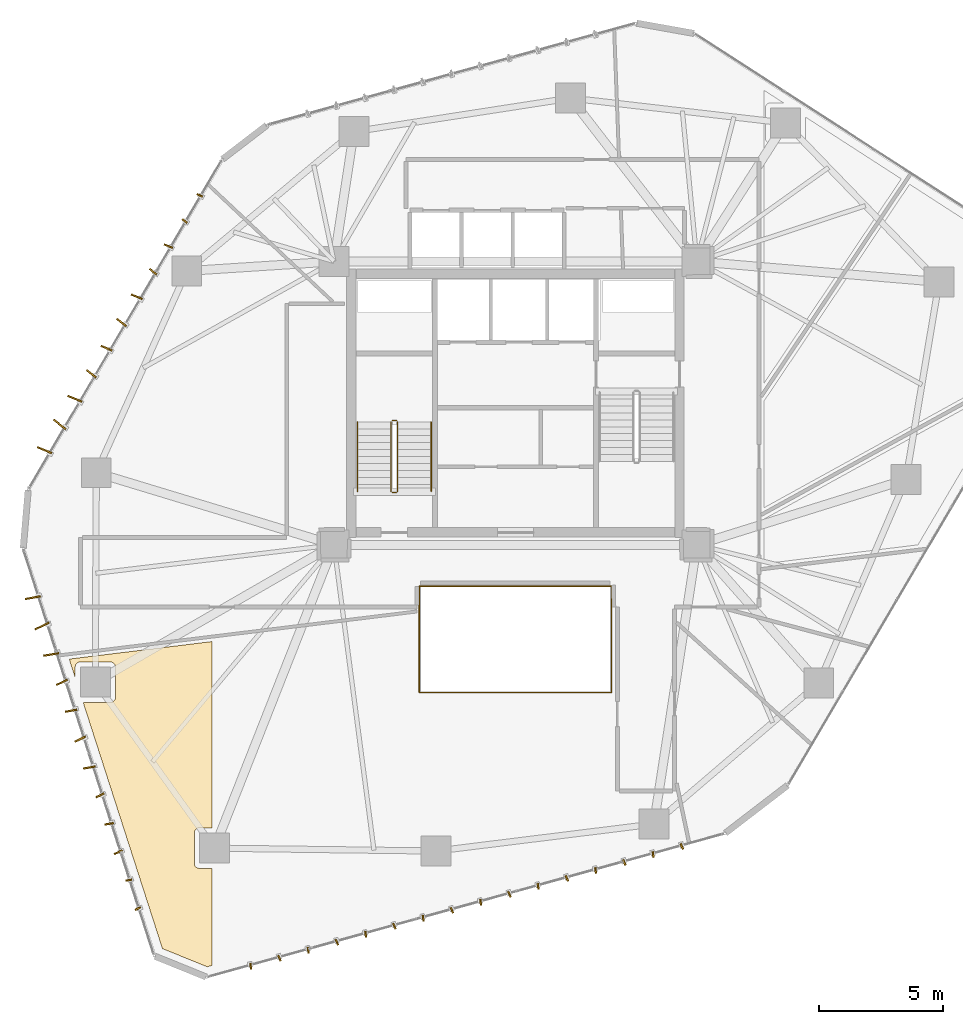
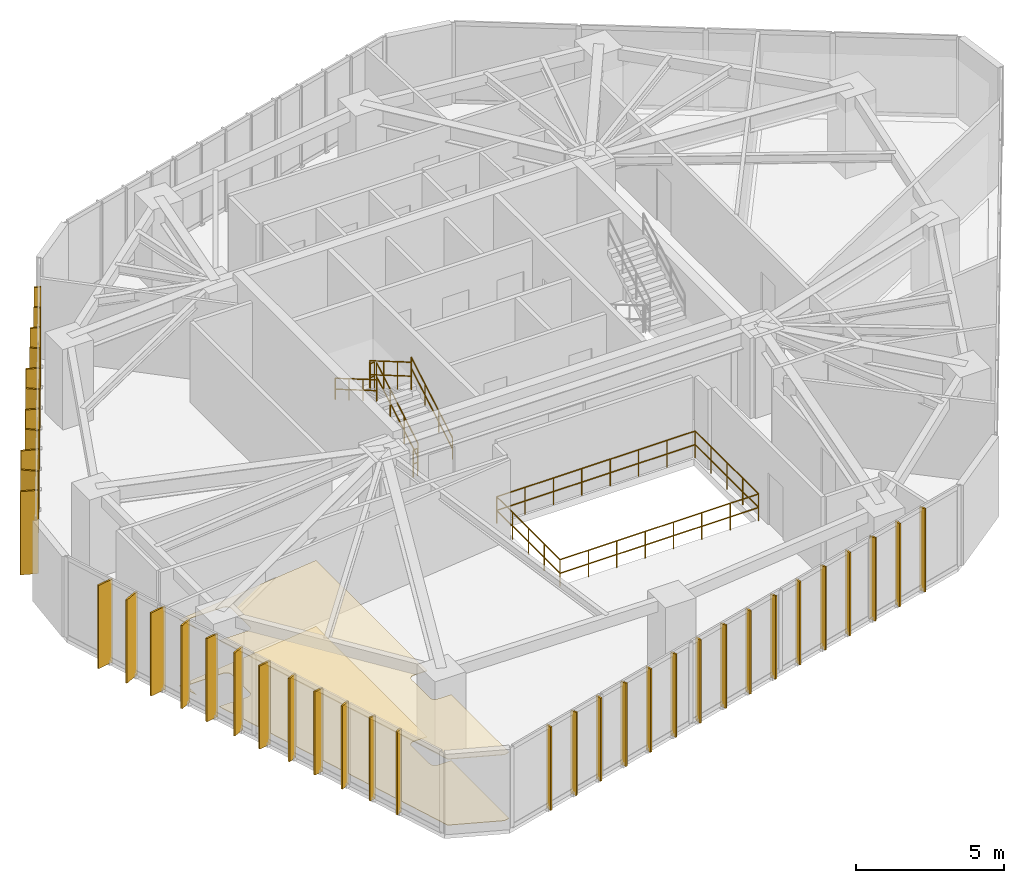
# One storey, part 19 of 20: 39 shading devices, 10 railings, 2 coverings.
"""IFC4 building model written with IfcOpenShell, lengths in metres."""

from ifc_helpers import new_model, si_unit, direction, frame, origin, origin_2d, place, context, subcontext, project, spatial, polyline, rectangle, circle, outline, extrude, source, transform, mapped, material, layer, layer_set, type_object, type_shapes, element, save


model = new_model("IFC4")

# Units and contexts
model_context = context("Model", 3, precision=1e-05, world=origin(), true_north=direction((0.0, 1.0)))
body_context = subcontext(model_context, "Body", "Model", "MODEL_VIEW")
ifc_project = project(units=[si_unit("LENGTHUNIT", "METRE"), si_unit("AREAUNIT", "SQUARE_METRE"), si_unit("VOLUMEUNIT", "CUBIC_METRE"), si_unit("PLANEANGLEUNIT", "RADIAN"), si_unit("MASSUNIT", "GRAM", prefix="KILO")], contexts=[model_context])

# Site, building, storey
site_placement = place(None, origin())
site = spatial("IfcSite", under=ifc_project, at=site_placement, CompositionType="ELEMENT")
building_placement = place(site_placement, origin())
building = spatial("IfcBuilding", under=site, at=building_placement, Name="Talar Marvaseh", CompositionType="ELEMENT")
storey_placement = place(building_placement, frame((0.0, 0.0, 136.199951171875)))
storey = spatial("IfcBuildingStorey", under=building, at=storey_placement, Name="L35", CompositionType="ELEMENT", Elevation=136.199951171875)

# Railings
ifc_material_1 = material(Name="Stainless Steel Grade 316", Category="steel")
railing_type_1 = type_object("IfcRailingType", Name="Brushed Stainless Wall Pitch Handrail 900", PredefinedType="HANDRAIL", material=ifc_material_1)
railing_1_placement = place(storey_placement, frame((22.610107421875, 27.64990234375, 0.16357421875)))
element("IfcRailing", 1, at=railing_1_placement, inside=storey, type_object=railing_type_1, Name="L35 ST-1 stair handrail 1", PredefinedType="HANDRAIL", context=body_context, shape_type="SweptSolid", body=[
    extrude(circle(Radius=0.02392578125, at=origin_2d()), frame((0.0, 0.0, 0.8759765625), z_axis=(0.0, 0.863360870873, 0.504586966384), x_axis=(-1.0, 0.0, 0.0)), (0.0, 0.0, 1.0), 3.2431640625),
    extrude(circle(Radius=0.02392578125, at=origin_2d()), frame((0.0, 0.0, 0.42578125), z_axis=(0.0, 0.863360870873, 0.504586966384), x_axis=(-1.0, 0.0, 0.0)), (0.0, 0.0, 1.0), 3.2431640625),
    extrude(circle(Radius=0.02099609375, at=origin_2d()), origin(), (0.0, 0.0, 1.0), 0.851806640625),
    extrude(circle(Radius=0.02099609375, at=origin_2d()), frame((0.0, 0.933349609375, 0.54541015625)), (0.0, 0.0, 1.0), 0.851806640625),
    extrude(circle(Radius=0.02099609375, at=origin_2d()), frame((0.0, 1.86669921875, 1.091064453125)), (0.0, 0.0, 1.0), 0.851806640625),
    extrude(circle(Radius=0.02099609375, at=origin_2d()), frame((0.0, 2.800048828125, 1.636474609375)), (0.0, 0.0, 1.0), 0.851806640625),
])
railing_2_placement = place(storey_placement, frame((19.64990234375, 30.449951171875, 1.963623046875)))
element("IfcRailing", 2, at=railing_2_placement, inside=storey, type_object=railing_type_1, Name="L35 ST-1 stair handrail 2", PredefinedType="HANDRAIL", context=body_context, shape_type="SweptSolid", body=[
    extrude(circle(Radius=0.02392578125, at=origin_2d()), frame((0.0, 0.0, 0.8759765625), z_axis=(0.0, -0.863360870873, 0.504586966384), x_axis=(1.0, 0.0, 0.0)), (0.0, 0.0, 1.0), 3.2431640625),
    extrude(circle(Radius=0.02392578125, at=origin_2d()), frame((0.0, 0.0, 0.42578125), z_axis=(0.0, -0.863360870873, 0.504586966384), x_axis=(1.0, 0.0, 0.0)), (0.0, 0.0, 1.0), 3.2431640625),
    extrude(circle(Radius=0.02099609375, at=origin_2d()), origin(), (0.0, 0.0, 1.0), 0.851806640625),
    extrude(circle(Radius=0.02099609375, at=origin_2d()), frame((0.0, -0.933349609375, 0.54541015625)), (0.0, 0.0, 1.0), 0.851806640625),
    extrude(circle(Radius=0.02099609375, at=origin_2d()), frame((0.0, -1.86669921875, 1.091064453125)), (0.0, 0.0, 1.0), 0.851806640625),
    extrude(circle(Radius=0.02099609375, at=origin_2d()), frame((0.0, -2.800048828125, 1.636474609375)), (0.0, 0.0, 1.0), 0.851806640625),
])
ifc_material_2 = material(Name="Tempered Clear Glass", Category="glass")
railing_type_2 = type_object("IfcRailingType", Name="Interior Atrium Edge Balustrade 1120", PredefinedType="BALUSTRADE", material=ifc_material_2)
railing_3_placement = place(storey_placement, frame((22.1298828125, 19.561279296875, 0.0)))
element("IfcRailing", 3, at=railing_3_placement, inside=storey, type_object=railing_type_2, Name="L35 Internal Daylight Atrium Balustrade 1", PredefinedType="BALUSTRADE", context=body_context, shape_type="SweptSolid", body=[
    extrude(circle(Radius=0.02392578125, at=origin_2d()), frame((0.0, 0.0, 1.09619140625), z_axis=(1.0, 0.0, 0.0), x_axis=(0.0, 1.0, 0.0)), (0.0, 0.0, 1.0), 7.740234375),
    extrude(circle(Radius=0.02392578125, at=origin_2d()), frame((0.0, 0.0, 0.5361328125), z_axis=(1.0, 0.0, 0.0), x_axis=(0.0, 1.0, 0.0)), (0.0, 0.0, 1.0), 7.740234375),
    extrude(circle(Radius=0.02099609375, at=origin_2d()), origin(), (0.0, 0.0, 1.0), 1.072021484375),
    extrude(circle(Radius=0.02099609375, at=origin_2d()), frame((1.105712890625, 0.0, 0.0)), (0.0, 0.0, 1.0), 1.072021484375),
    extrude(circle(Radius=0.02099609375, at=origin_2d()), frame((2.21142578125, 0.0, 0.0)), (0.0, 0.0, 1.0), 1.072021484375),
    extrude(circle(Radius=0.02099609375, at=origin_2d()), frame((3.317138671875, 0.0, 0.0)), (0.0, 0.0, 1.0), 1.072021484375),
    extrude(circle(Radius=0.02099609375, at=origin_2d()), frame((4.423095703125, 0.0, 0.0)), (0.0, 0.0, 1.0), 1.072021484375),
    extrude(circle(Radius=0.02099609375, at=origin_2d()), frame((5.52880859375, 0.0, 0.0)), (0.0, 0.0, 1.0), 1.072021484375),
    extrude(circle(Radius=0.02099609375, at=origin_2d()), frame((6.634521484375, 0.0, 0.0)), (0.0, 0.0, 1.0), 1.072021484375),
    extrude(circle(Radius=0.02099609375, at=origin_2d()), frame((7.740234375, 0.0, 0.0)), (0.0, 0.0, 1.0), 1.072021484375),
])
railing_4_placement = place(storey_placement, frame((29.8701171875, 19.561279296875, 0.0)))
element("IfcRailing", 4, at=railing_4_placement, inside=storey, type_object=railing_type_2, Name="L35 Internal Daylight Atrium Balustrade 2", PredefinedType="BALUSTRADE", context=body_context, shape_type="SweptSolid", body=[
    extrude(circle(Radius=0.02392578125, at=origin_2d()), frame((0.0, 0.0, 1.09619140625), z_axis=(0.0, 1.0, 0.0), x_axis=(-1.0, 0.0, 0.0)), (0.0, 0.0, 1.0), 4.27734375),
    extrude(circle(Radius=0.02392578125, at=origin_2d()), frame((0.0, 0.0, 0.5361328125), z_axis=(0.0, 1.0, 0.0), x_axis=(-1.0, 0.0, 0.0)), (0.0, 0.0, 1.0), 4.27734375),
    extrude(circle(Radius=0.02099609375, at=origin_2d()), origin(), (0.0, 0.0, 1.0), 1.072021484375),
    extrude(circle(Radius=0.02099609375, at=origin_2d()), frame((0.0, 1.0693359375, 0.0)), (0.0, 0.0, 1.0), 1.072021484375),
    extrude(circle(Radius=0.02099609375, at=origin_2d()), frame((0.0, 2.138671875, 0.0)), (0.0, 0.0, 1.0), 1.072021484375),
    extrude(circle(Radius=0.02099609375, at=origin_2d()), frame((0.0, 3.2080078125, 0.0)), (0.0, 0.0, 1.0), 1.072021484375),
    extrude(circle(Radius=0.02099609375, at=origin_2d()), frame((0.0, 4.27734375, 0.0)), (0.0, 0.0, 1.0), 1.072021484375),
])
railing_5_placement = place(storey_placement, frame((29.8701171875, 23.838623046875, 0.0)))
element("IfcRailing", 5, at=railing_5_placement, inside=storey, type_object=railing_type_2, Name="L35 Internal Daylight Atrium Balustrade 3", PredefinedType="BALUSTRADE", context=body_context, shape_type="SweptSolid", body=[
    extrude(circle(Radius=0.02392578125, at=origin_2d()), frame((0.0, 0.0, 1.09619140625), z_axis=(-1.0, 0.0, 0.0), x_axis=(0.0, -1.0, 0.0)), (0.0, 0.0, 1.0), 7.740234375),
    extrude(circle(Radius=0.02392578125, at=origin_2d()), frame((0.0, 0.0, 0.5361328125), z_axis=(-1.0, 0.0, 0.0), x_axis=(0.0, -1.0, 0.0)), (0.0, 0.0, 1.0), 7.740234375),
    extrude(circle(Radius=0.02099609375, at=origin_2d()), origin(), (0.0, 0.0, 1.0), 1.072021484375),
    extrude(circle(Radius=0.02099609375, at=origin_2d()), frame((-1.105712890625, 0.0, 0.0)), (0.0, 0.0, 1.0), 1.072021484375),
    extrude(circle(Radius=0.02099609375, at=origin_2d()), frame((-2.21142578125, 0.0, 0.0)), (0.0, 0.0, 1.0), 1.072021484375),
    extrude(circle(Radius=0.02099609375, at=origin_2d()), frame((-3.317138671875, 0.0, 0.0)), (0.0, 0.0, 1.0), 1.072021484375),
    extrude(circle(Radius=0.02099609375, at=origin_2d()), frame((-4.423095703125, 0.0, 0.0)), (0.0, 0.0, 1.0), 1.072021484375),
    extrude(circle(Radius=0.02099609375, at=origin_2d()), frame((-5.52880859375, 0.0, 0.0)), (0.0, 0.0, 1.0), 1.072021484375),
    extrude(circle(Radius=0.02099609375, at=origin_2d()), frame((-6.634521484375, 0.0, 0.0)), (0.0, 0.0, 1.0), 1.072021484375),
    extrude(circle(Radius=0.02099609375, at=origin_2d()), frame((-7.740234375, 0.0, 0.0)), (0.0, 0.0, 1.0), 1.072021484375),
])
railing_6_placement = place(storey_placement, frame((22.1298828125, 23.838623046875, 0.0)))
element("IfcRailing", 6, at=railing_6_placement, inside=storey, type_object=railing_type_2, Name="L35 Internal Daylight Atrium Balustrade 4", PredefinedType="BALUSTRADE", context=body_context, shape_type="SweptSolid", body=[
    extrude(circle(Radius=0.02392578125, at=origin_2d()), frame((0.0, 0.0, 1.09619140625), z_axis=(0.0, -1.0, 0.0), x_axis=(1.0, 0.0, 0.0)), (0.0, 0.0, 1.0), 4.27734375),
    extrude(circle(Radius=0.02392578125, at=origin_2d()), frame((0.0, 0.0, 0.5361328125), z_axis=(0.0, -1.0, 0.0), x_axis=(1.0, 0.0, 0.0)), (0.0, 0.0, 1.0), 4.27734375),
    extrude(circle(Radius=0.02099609375, at=origin_2d()), origin(), (0.0, 0.0, 1.0), 1.072021484375),
    extrude(circle(Radius=0.02099609375, at=origin_2d()), frame((0.0, -1.0693359375, 0.0)), (0.0, 0.0, 1.0), 1.072021484375),
    extrude(circle(Radius=0.02099609375, at=origin_2d()), frame((0.0, -2.138671875, 0.0)), (0.0, 0.0, 1.0), 1.072021484375),
    extrude(circle(Radius=0.02099609375, at=origin_2d()), frame((0.0, -3.2080078125, 0.0)), (0.0, 0.0, 1.0), 1.072021484375),
    extrude(circle(Radius=0.02099609375, at=origin_2d()), frame((0.0, -4.27734375, 0.0)), (0.0, 0.0, 1.0), 1.072021484375),
])
railing_type_3 = type_object("IfcRailingType", Name="Painted Steel Core Stair Well Guardrail 1150", PredefinedType="GUARDRAIL", material=ifc_material_1)
railing_7_placement = place(storey_placement, frame((21.260009765625, 27.64990234375, 0.16357421875)))
element("IfcRailing", 7, at=railing_7_placement, inside=storey, type_object=railing_type_3, Name="L35 ST-1 stair guard 1", PredefinedType="GUARDRAIL", context=body_context, shape_type="SweptSolid", body=[
    extrude(circle(Radius=0.02392578125, at=origin_2d()), frame((0.0, 0.0, 1.1259765625), z_axis=(0.0, 0.863360870873, 0.504586966384), x_axis=(-1.0, 0.0, 0.0)), (0.0, 0.0, 1.0), 3.2431640625),
    extrude(circle(Radius=0.02392578125, at=origin_2d()), frame((0.0, 0.0, 0.55078125), z_axis=(0.0, 0.863360870873, 0.504586966384), x_axis=(-1.0, 0.0, 0.0)), (0.0, 0.0, 1.0), 3.2431640625),
    extrude(circle(Radius=0.02099609375, at=origin_2d()), origin(), (0.0, 0.0, 1.0), 1.101806640625),
    extrude(circle(Radius=0.02099609375, at=origin_2d()), frame((0.0, 0.933349609375, 0.54541015625)), (0.0, 0.0, 1.0), 1.101806640625),
    extrude(circle(Radius=0.02099609375, at=origin_2d()), frame((0.0, 1.86669921875, 1.091064453125)), (0.0, 0.0, 1.0), 1.101806640625),
    extrude(circle(Radius=0.02099609375, at=origin_2d()), frame((0.0, 2.800048828125, 1.636474609375)), (0.0, 0.0, 1.0), 1.101806640625),
])
railing_8_placement = place(storey_placement, frame((21.2099609375, 30.5, 1.800048828125)))
element("IfcRailing", 8, at=railing_8_placement, inside=storey, type_object=railing_type_3, Name="L35 ST-1 stair guard 2", PredefinedType="GUARDRAIL", context=body_context, shape_type="SweptSolid", body=[
    extrude(circle(Radius=0.02392578125, at=origin_2d()), frame((0.0, 0.0, 1.1259765625), z_axis=(-1.0, 0.0, 0.0), x_axis=(0.0, -1.0, 0.0)), (0.0, 0.0, 1.0), 0.159912109375),
    extrude(circle(Radius=0.02392578125, at=origin_2d()), frame((0.0, 0.0, 0.55078125), z_axis=(-1.0, 0.0, 0.0), x_axis=(0.0, -1.0, 0.0)), (0.0, 0.0, 1.0), 0.159912109375),
    extrude(circle(Radius=0.02099609375, at=origin_2d()), origin(), (0.0, 0.0, 1.0), 1.101806640625),
    extrude(circle(Radius=0.02099609375, at=origin_2d()), frame((-0.159912109375, 0.0, 0.0)), (0.0, 0.0, 1.0), 1.101806640625),
])
railing_9_placement = place(storey_placement, frame((21.0, 30.449951171875, 1.963623046875)))
element("IfcRailing", 9, at=railing_9_placement, inside=storey, type_object=railing_type_3, Name="L35 ST-1 stair guard 3", PredefinedType="GUARDRAIL", context=body_context, shape_type="SweptSolid", body=[
    extrude(circle(Radius=0.02392578125, at=origin_2d()), frame((0.0, 0.0, 1.1259765625), z_axis=(0.0, -0.863360870873, 0.504586966384), x_axis=(1.0, 0.0, 0.0)), (0.0, 0.0, 1.0), 3.2431640625),
    extrude(circle(Radius=0.02392578125, at=origin_2d()), frame((0.0, 0.0, 0.55078125), z_axis=(0.0, -0.863360870873, 0.504586966384), x_axis=(1.0, 0.0, 0.0)), (0.0, 0.0, 1.0), 3.2431640625),
    extrude(circle(Radius=0.02099609375, at=origin_2d()), origin(), (0.0, 0.0, 1.0), 1.101806640625),
    extrude(circle(Radius=0.02099609375, at=origin_2d()), frame((0.0, -0.933349609375, 0.54541015625)), (0.0, 0.0, 1.0), 1.101806640625),
    extrude(circle(Radius=0.02099609375, at=origin_2d()), frame((0.0, -1.86669921875, 1.091064453125)), (0.0, 0.0, 1.0), 1.101806640625),
    extrude(circle(Radius=0.02099609375, at=origin_2d()), frame((0.0, -2.800048828125, 1.636474609375)), (0.0, 0.0, 1.0), 1.101806640625),
])
railing_10_placement = place(storey_placement, frame((21.2099609375, 27.60009765625, 0.0)))
element("IfcRailing", 10, at=railing_10_placement, inside=storey, type_object=railing_type_3, Name="L35 ST-1 stair guard 4", PredefinedType="GUARDRAIL", context=body_context, shape_type="SweptSolid", body=[
    extrude(circle(Radius=0.02392578125, at=origin_2d()), frame((0.0, 0.0, 1.1259765625), z_axis=(-1.0, 0.0, 0.0), x_axis=(0.0, -1.0, 0.0)), (0.0, 0.0, 1.0), 0.159912109375),
    extrude(circle(Radius=0.02392578125, at=origin_2d()), frame((0.0, 0.0, 0.55078125), z_axis=(-1.0, 0.0, 0.0), x_axis=(0.0, -1.0, 0.0)), (0.0, 0.0, 1.0), 0.159912109375),
    extrude(circle(Radius=0.02099609375, at=origin_2d()), origin(), (0.0, 0.0, 1.0), 1.101806640625),
    extrude(circle(Radius=0.02099609375, at=origin_2d()), frame((-0.159912109375, 0.0, 0.0)), (0.0, 0.0, 1.0), 1.101806640625),
])

# Coverings
ifc_material_3 = material(Name="Mineral Fibre Acoustic Ceiling")
ifc_layer_1 = layer(ifc_material_3, 0.02490234375)
ifc_layer_set_1 = layer_set([ifc_layer_1], Name="Mineral Fibre Acoustic Ceiling")
covering_type_1 = type_object("IfcCoveringType", Name="Perforated Mineral Fibre Acoustic Suspended Ceiling", PredefinedType="CEILING", material=ifc_layer_set_1)
covering_1_placement = place(storey_placement, frame((0.0, 0.0, 2.719970703125)))
element("IfcCovering", 11, at=covering_1_placement, inside=storey, type_object=covering_type_1, Name="L35 Curatorial Office Acoustic Ceiling", PredefinedType="CEILING", context=body_context, shape_type="SweptSolid", body=[
    extrude(outline(polyline([(13.800048828125, 14.111572265625), (13.27978515625, 14.109619140625), (13.260009765625, 14.108642578125), (13.24072265625, 14.105712890625), (13.2216796875, 14.100830078125), (13.203369140625, 14.09423828125), (13.185791015625, 14.085693359375), (13.1689453125, 14.07568359375), (13.1533203125, 14.06396484375), (13.138671875, 14.05078125), (13.12548828125, 14.0361328125), (13.114013671875, 14.0205078125), (13.10400390625, 14.003662109375), (13.095703125, 13.986083984375), (13.089111328125, 13.967529296875), (13.084228515625, 13.948486328125), (13.081298828125, 13.92919921875), (13.080322265625, 13.90966796875), (13.080322265625, 12.6884765625), (13.081298828125, 12.668701171875), (13.084228515625, 12.6494140625), (13.089111328125, 12.63037109375), (13.095703125, 12.61181640625), (13.10400390625, 12.593994140625), (13.114013671875, 12.577392578125), (13.125732421875, 12.5615234375), (13.138916015625, 12.547119140625), (13.153564453125, 12.53369140625), (13.169189453125, 12.522216796875), (13.18603515625, 12.511962890625), (13.203857421875, 12.503662109375), (13.222412109375, 12.4970703125), (13.241455078125, 12.4921875), (13.2607421875, 12.489501953125), (13.280517578125, 12.48828125), (13.800048828125, 12.48828125), (13.800048828125, 8.582275390625), (13.599853515625, 8.52685546875), (11.800048828125, 9.256591796875), (8.609619140625, 19.16650390625), (9.711669921875, 19.16650390625), (9.731201171875, 19.16748046875), (9.75048828125, 19.170166015625), (9.76953125, 19.175048828125), (9.7880859375, 19.181640625), (9.8056640625, 19.18994140625), (9.822509765625, 19.199951171875), (9.838134765625, 19.211669921875), (9.852783203125, 19.224609375), (9.865966796875, 19.2392578125), (9.877685546875, 19.2548828125), (9.8876953125, 19.271728515625), (9.896240234375, 19.289306640625), (9.90283203125, 19.307861328125), (9.90771484375, 19.326904296875), (9.91064453125, 19.34619140625), (9.91162109375, 19.36572265625), (9.916015625, 20.577880859375), (9.9150390625, 20.596435546875), (9.91259765625, 20.61474609375), (9.908203125, 20.633056640625), (9.90234375, 20.650634765625), (9.89501953125, 20.667724609375), (9.885986328125, 20.683837890625), (9.875244140625, 20.69921875), (9.86328125, 20.713623046875), (9.85009765625, 20.726806640625), (9.835205078125, 20.740234375), (9.821044921875, 20.751953125), (9.8056640625, 20.762451171875), (9.78955078125, 20.771240234375), (9.772705078125, 20.77880859375), (9.755126953125, 20.78466796875), (9.737060546875, 20.788818359375), (9.71875, 20.791259765625), (9.7001953125, 20.7919921875), (8.48974609375, 20.78759765625), (8.47021484375, 20.78662109375), (8.45068359375, 20.78369140625), (8.431884765625, 20.77880859375), (8.413330078125, 20.772216796875), (8.395751953125, 20.763671875), (8.37890625, 20.753662109375), (8.36328125, 20.741943359375), (8.3486328125, 20.728759765625), (8.335693359375, 20.714111328125), (8.323974609375, 20.698486328125), (8.31396484375, 20.681640625), (8.3056640625, 20.6640625), (8.299072265625, 20.6455078125), (8.294189453125, 20.62646484375), (8.29150390625, 20.607177734375), (8.290283203125, 20.587646484375), (8.290283203125, 20.158203125), (8.0498046875, 20.9052734375), (13.800048828125, 21.611083984375), (13.800048828125, 14.111572265625)])), origin(), (0.0, 0.0, 1.0), 0.025146484375),
])
ifc_material_4 = material(Name="Porcelain Stoneware Tile", Category="masonry")
ifc_layer_2 = layer(ifc_material_4, 0.02001953125)
ifc_layer_set_2 = layer_set([ifc_layer_2], Name="Porcelain Stoneware Tile")
covering_type_2 = type_object("IfcCoveringType", Name="Polished Porcelain Stoneware Gallery Flooring", PredefinedType="FLOORING", material=ifc_layer_set_2)
covering_2_placement = place(storey_placement, origin())
element("IfcCovering", 12, at=covering_2_placement, inside=storey, type_object=covering_type_2, Name="L35 Curatorial Office Flooring", PredefinedType="FLOORING", context=body_context, shape_type="SweptSolid", body=[
    extrude(outline(polyline([(13.800048828125, 14.111572265625), (13.27978515625, 14.109619140625), (13.260009765625, 14.108642578125), (13.24072265625, 14.105712890625), (13.2216796875, 14.100830078125), (13.203369140625, 14.09423828125), (13.185791015625, 14.085693359375), (13.1689453125, 14.07568359375), (13.1533203125, 14.06396484375), (13.138671875, 14.05078125), (13.12548828125, 14.0361328125), (13.114013671875, 14.0205078125), (13.10400390625, 14.003662109375), (13.095703125, 13.986083984375), (13.089111328125, 13.967529296875), (13.084228515625, 13.948486328125), (13.081298828125, 13.92919921875), (13.080322265625, 13.90966796875), (13.080322265625, 12.6884765625), (13.081298828125, 12.668701171875), (13.084228515625, 12.6494140625), (13.089111328125, 12.63037109375), (13.095703125, 12.61181640625), (13.10400390625, 12.593994140625), (13.114013671875, 12.577392578125), (13.125732421875, 12.5615234375), (13.138916015625, 12.547119140625), (13.153564453125, 12.53369140625), (13.169189453125, 12.522216796875), (13.18603515625, 12.511962890625), (13.203857421875, 12.503662109375), (13.222412109375, 12.4970703125), (13.241455078125, 12.4921875), (13.2607421875, 12.489501953125), (13.280517578125, 12.48828125), (13.800048828125, 12.48828125), (13.800048828125, 8.582275390625), (13.599853515625, 8.52685546875), (11.800048828125, 9.256591796875), (8.609619140625, 19.16650390625), (9.711669921875, 19.16650390625), (9.731201171875, 19.16748046875), (9.75048828125, 19.170166015625), (9.76953125, 19.175048828125), (9.7880859375, 19.181640625), (9.8056640625, 19.18994140625), (9.822509765625, 19.199951171875), (9.838134765625, 19.211669921875), (9.852783203125, 19.224609375), (9.865966796875, 19.2392578125), (9.877685546875, 19.2548828125), (9.8876953125, 19.271728515625), (9.896240234375, 19.289306640625), (9.90283203125, 19.307861328125), (9.90771484375, 19.326904296875), (9.91064453125, 19.34619140625), (9.91162109375, 19.36572265625), (9.916015625, 20.577880859375), (9.9150390625, 20.596435546875), (9.91259765625, 20.61474609375), (9.908203125, 20.633056640625), (9.90234375, 20.650634765625), (9.89501953125, 20.667724609375), (9.885986328125, 20.683837890625), (9.875244140625, 20.69921875), (9.86328125, 20.713623046875), (9.85009765625, 20.726806640625), (9.835205078125, 20.740234375), (9.821044921875, 20.751953125), (9.8056640625, 20.762451171875), (9.78955078125, 20.771240234375), (9.772705078125, 20.77880859375), (9.755126953125, 20.78466796875), (9.737060546875, 20.788818359375), (9.71875, 20.791259765625), (9.7001953125, 20.7919921875), (8.48974609375, 20.78759765625), (8.47021484375, 20.78662109375), (8.45068359375, 20.78369140625), (8.431884765625, 20.77880859375), (8.413330078125, 20.772216796875), (8.395751953125, 20.763671875), (8.37890625, 20.753662109375), (8.36328125, 20.741943359375), (8.3486328125, 20.728759765625), (8.335693359375, 20.714111328125), (8.323974609375, 20.698486328125), (8.31396484375, 20.681640625), (8.3056640625, 20.6640625), (8.299072265625, 20.6455078125), (8.294189453125, 20.62646484375), (8.29150390625, 20.607177734375), (8.290283203125, 20.587646484375), (8.290283203125, 20.158203125), (8.0498046875, 20.9052734375), (13.800048828125, 21.611083984375), (13.800048828125, 14.111572265625)])), origin(), (0.0, 0.0, 1.0), 0.02001953125),
])

# Shading devices
ifc_material_5 = material(Name="Anodised Champagne Bronze Aluminium", Category="aluminium")
ifc_layer_3 = layer(ifc_material_5, 0.06494140625)
ifc_layer_set_3 = layer_set([ifc_layer_3], Name="Anodised Champagne Bronze Aluminium")
shading_device_type_1 = type_object("IfcShadingDeviceType", Name="Sawtooth Champagne Bronze Vertical Fin 240", PredefinedType="USERDEFINED", material=ifc_layer_set_3)
shared_shape_1 = source(origin(), body_context, "Body", "SweptSolid", [
    extrude(rectangle(XDim=0.239990234375, YDim=0.06494140625, at=origin_2d()), origin(), (0.0, 0.0, 1.0), 3.429931640625),
])
type_shapes(shading_device_type_1, [shared_shape_1])
for number, where, z_axis, x_axis, name in (
    (13, (10.813720703125, 10.868896484375, -0.1201171875), (0.0, 0.0, 1.0), (-0.89993861785, -0.436016609893, 0.0), "L35 Sawtooth Vertical Solar Fin"),
    (14, (10.44580078125, 12.01123046875, -0.1201171875), (0.0, 0.0, 1.0), (-0.985258987478, -0.171069364861, 0.0), "L35 Sawtooth Vertical Solar Fin"),
    (15, (12.69384765625, 38.52490234375, -0.1201171875), (0.0, 0.0, 1.0), (-0.783368117696, 0.621558036049, 0.0), "L35 Sawtooth Vertical Solar Fin"),
    (16, (13.3017578125, 39.5595703125, -0.1201171875), (0.0, 0.0, 1.0), (-0.924346378904, 0.381554415263, 0.0), "L35 Sawtooth Vertical Solar Fin"),
    (17, (32.69482421875, 13.36376953125, -0.1201171875), (0.0, 0.0, 1.0), (0.398909120029, -0.916990465576, 0.0), "L35 Sawtooth Vertical Solar Fin"),
    (18, (31.53857421875, 13.04296875, -0.1201171875), (0.0, 0.0, 1.0), (0.130699230003, -0.991422065155, 0.0), "L35 Sawtooth Vertical Solar Fin"),
    (19, (30.38232421875, 12.721923828125, -0.1201171875), (0.0, 0.0, 1.0), (0.398909120029, -0.916990465576, 0.0), "L35 Sawtooth Vertical Solar Fin"),
    (20, (29.22607421875, 12.401123046875, -0.1201171875), (0.0, 0.0, 1.0), (0.130699230003, -0.991422065155, 0.0), "L35 Sawtooth Vertical Solar Fin"),
    (21, (28.069580078125, 12.080322265625, -0.1201171875), (0.0, 0.0, 1.0), (0.398909120029, -0.916990465576, 0.0), "L35 Sawtooth Vertical Solar Fin"),
    (22, (26.913330078125, 11.759521484375, -0.1201171875), (0.0, 0.0, 1.0), (0.130699230003, -0.991422065155, 0.0), "L35 Sawtooth Vertical Solar Fin"),
    (23, (25.757080078125, 11.438720703125, -0.1201171875), (0.0, 0.0, 1.0), (0.398909120029, -0.916990465576, 0.0), "L35 Sawtooth Vertical Solar Fin"),
    (24, (24.600830078125, 11.11767578125, -0.1201171875), (0.0, 0.0, 1.0), (0.130699230003, -0.991422065155, 0.0), "L35 Sawtooth Vertical Solar Fin"),
    (25, (23.444580078125, 10.796875, -0.1201171875), (0.0, 0.0, 1.0), (0.398909120029, -0.916990465576, 0.0), "L35 Sawtooth Vertical Solar Fin"),
    (26, (22.2880859375, 10.47607421875, -0.1201171875), (0.0, 0.0, 1.0), (0.130699230003, -0.991422065155, 0.0), "L35 Sawtooth Vertical Solar Fin"),
    (27, (21.1318359375, 10.155029296875, -0.1201171875), (0.0, 0.0, 1.0), (0.398909120029, -0.916990465576, 0.0), "L35 Sawtooth Vertical Solar Fin"),
    (28, (19.9755859375, 9.834228515625, -0.1201171875), (0.0, 0.0, 1.0), (0.130699230003, -0.991422065155, 0.0), "L35 Sawtooth Vertical Solar Fin"),
    (29, (18.819091796875, 9.513427734375, -0.1201171875), (0.0, 0.0, 1.0), (0.398909120029, -0.916990465576, 0.0), "L35 Sawtooth Vertical Solar Fin"),
    (30, (17.662841796875, 9.1923828125, -0.1201171875), (0.0, 0.0, 1.0), (0.130699230003, -0.991422065155, 0.0), "L35 Sawtooth Vertical Solar Fin"),
    (31, (16.506591796875, 8.87158203125, -0.1201171875), (0.0, 0.0, 1.0), (0.398909120029, -0.916990465576, 0.0), "L35 Sawtooth Vertical Solar Fin"),
    (32, (15.350341796875, 8.55078125, -0.1201171875), (0.0, 0.0, 1.0), (0.130699230003, -0.991422065155, 0.0), "L35 Sawtooth Vertical Solar Fin"),
):
    element("IfcShadingDevice", number, at=place(storey_placement, frame(where, z_axis=z_axis, x_axis=x_axis)), inside=storey, type_object=shading_device_type_1, Name=name, ObjectType="FIN", PredefinedType="USERDEFINED", context=body_context, shape_type="MappedRepresentation", body=[
        mapped(shared_shape_1, transform((0.0, 0.0, 0.0), x_axis=(1.0, 0.0, 0.0), y_axis=(0.0, 1.0, 0.0), z_axis=(0.0, 0.0, 1.0), scale=1.0)),
    ])
ifc_layer_4 = layer(ifc_material_5, 0.06494140625)
ifc_layer_set_4 = layer_set([ifc_layer_4], Name="Anodised Champagne Bronze Aluminium")
shading_device_type_2 = type_object("IfcShadingDeviceType", Name="Sawtooth Champagne Bronze Vertical Fin 360", PredefinedType="USERDEFINED", material=ifc_layer_set_4)
shared_shape_2 = source(origin(), body_context, "Body", "SweptSolid", [
    extrude(rectangle(XDim=0.360107421875, YDim=0.06494140625, at=origin_2d()), origin(), (0.0, 0.0, 1.0), 3.429931640625),
])
type_shapes(shading_device_type_2, [shared_shape_2])
for number, where, z_axis, x_axis, name in (
    (33, (10.02099609375, 13.135009765625, -0.1201171875), (0.0, 0.0, 1.0), (-0.89993861785, -0.436016609893, 0.0), "L35 Sawtooth Vertical Solar Fin"),
    (34, (9.6533203125, 14.27734375, -0.1201171875), (0.0, 0.0, 1.0), (-0.985258987478, -0.171069364861, 0.0), "L35 Sawtooth Vertical Solar Fin"),
    (35, (9.285400390625, 15.41943359375, -0.1201171875), (0.0, 0.0, 1.0), (-0.89993861785, -0.436016609893, 0.0), "L35 Sawtooth Vertical Solar Fin"),
    (36, (11.426513671875, 36.48583984375, -0.1201171875), (0.0, 0.0, 1.0), (-0.783368117696, 0.621558036049, 0.0), "L35 Sawtooth Vertical Solar Fin"),
    (37, (12.0341796875, 37.5205078125, -0.1201171875), (0.0, 0.0, 1.0), (-0.924346378904, 0.381554415263, 0.0), "L35 Sawtooth Vertical Solar Fin"),
):
    element("IfcShadingDevice", number, at=place(storey_placement, frame(where, z_axis=z_axis, x_axis=x_axis)), inside=storey, type_object=shading_device_type_2, Name=name, ObjectType="FIN", PredefinedType="USERDEFINED", context=body_context, shape_type="MappedRepresentation", body=[
        mapped(shared_shape_2, transform((0.0, 0.0, 0.0), x_axis=(1.0, 0.0, 0.0), y_axis=(0.0, 1.0, 0.0), z_axis=(0.0, 0.0, 1.0), scale=1.0)),
    ])
ifc_layer_5 = layer(ifc_material_5, 0.06494140625)
ifc_layer_set_5 = layer_set([ifc_layer_5], Name="Anodised Champagne Bronze Aluminium")
shading_device_type_3 = type_object("IfcShadingDeviceType", Name="Sawtooth Champagne Bronze Vertical Fin 480", PredefinedType="USERDEFINED", material=ifc_layer_set_5)
shared_shape_3 = source(origin(), body_context, "Body", "SweptSolid", [
    extrude(rectangle(XDim=0.47998046875, YDim=0.06494140625, at=origin_2d()), origin(), (0.0, 0.0, 1.0), 3.429931640625),
])
type_shapes(shading_device_type_3, [shared_shape_3])
for number, where, z_axis, x_axis, name in (
    (38, (8.860595703125, 16.54345703125, -0.1201171875), (0.0, 0.0, 1.0), (-0.985258987478, -0.171069364861, 0.0), "L35 Sawtooth Vertical Solar Fin"),
    (39, (8.492919921875, 17.685791015625, -0.1201171875), (0.0, 0.0, 1.0), (-0.89993861785, -0.436016609893, 0.0), "L35 Sawtooth Vertical Solar Fin"),
    (40, (8.125, 18.827880859375, -0.1201171875), (0.0, 0.0, 1.0), (-0.985258987478, -0.171069364861, 0.0), "L35 Sawtooth Vertical Solar Fin"),
    (41, (7.75732421875, 19.97021484375, -0.1201171875), (0.0, 0.0, 1.0), (-0.89993861785, -0.436016609893, 0.0), "L35 Sawtooth Vertical Solar Fin"),
    (42, (8.943603515625, 32.377685546875, -0.1201171875), (0.0, 0.0, 1.0), (-0.783368117696, 0.621558036049, 0.0), "L35 Sawtooth Vertical Solar Fin"),
    (43, (9.55126953125, 33.412109375, -0.1201171875), (0.0, 0.0, 1.0), (-0.924346378904, 0.381554415263, 0.0), "L35 Sawtooth Vertical Solar Fin"),
    (44, (10.1591796875, 34.447021484375, -0.1201171875), (0.0, 0.0, 1.0), (-0.783368117696, 0.621558036049, 0.0), "L35 Sawtooth Vertical Solar Fin"),
    (45, (10.76708984375, 35.481689453125, -0.1201171875), (0.0, 0.0, 1.0), (-0.924346378904, 0.381554415263, 0.0), "L35 Sawtooth Vertical Solar Fin"),
):
    element("IfcShadingDevice", number, at=place(storey_placement, frame(where, z_axis=z_axis, x_axis=x_axis)), inside=storey, type_object=shading_device_type_3, Name=name, ObjectType="FIN", PredefinedType="USERDEFINED", context=body_context, shape_type="MappedRepresentation", body=[
        mapped(shared_shape_3, transform((0.0, 0.0, 0.0), x_axis=(1.0, 0.0, 0.0), y_axis=(0.0, 1.0, 0.0), z_axis=(0.0, 0.0, 1.0), scale=1.0)),
    ])
ifc_layer_6 = layer(ifc_material_5, 0.06494140625)
ifc_layer_set_6 = layer_set([ifc_layer_6], Name="Anodised Champagne Bronze Aluminium")
shading_device_type_4 = type_object("IfcShadingDeviceType", Name="Sawtooth Champagne Bronze Vertical Fin 620", PredefinedType="USERDEFINED", material=ifc_layer_set_6)
shared_shape_4 = source(origin(), body_context, "Body", "SweptSolid", [
    extrude(rectangle(XDim=0.6201171875, YDim=0.06494140625, at=origin_2d()), origin(), (0.0, 0.0, 1.0), 3.429931640625),
])
type_shapes(shading_device_type_4, [shared_shape_4])
for number, where, z_axis, x_axis, name in (
    (46, (7.322998046875, 21.091064453125, -0.1201171875), (0.0, 0.0, 1.0), (-0.985258987478, -0.171069364861, 0.0), "L35 Sawtooth Vertical Solar Fin"),
    (47, (6.955078125, 22.2333984375, -0.1201171875), (0.0, 0.0, 1.0), (-0.89993861785, -0.436016609893, 0.0), "L35 Sawtooth Vertical Solar Fin"),
    (48, (6.58740234375, 23.37548828125, -0.1201171875), (0.0, 0.0, 1.0), (-0.985258987478, -0.171069364861, 0.0), "L35 Sawtooth Vertical Solar Fin"),
    (49, (7.059814453125, 29.30908203125, -0.1201171875), (0.0, 0.0, 1.0), (-0.924346378904, 0.381554415263, 0.0), "L35 Sawtooth Vertical Solar Fin"),
    (50, (7.66748046875, 30.34375, -0.1201171875), (0.0, 0.0, 1.0), (-0.783368117696, 0.621558036049, 0.0), "L35 Sawtooth Vertical Solar Fin"),
    (51, (8.275390625, 31.37841796875, -0.1201171875), (0.0, 0.0, 1.0), (-0.924346378904, 0.381554415263, 0.0), "L35 Sawtooth Vertical Solar Fin"),
):
    element("IfcShadingDevice", number, at=place(storey_placement, frame(where, z_axis=z_axis, x_axis=x_axis)), inside=storey, type_object=shading_device_type_4, Name=name, ObjectType="FIN", PredefinedType="USERDEFINED", context=body_context, shape_type="MappedRepresentation", body=[
        mapped(shared_shape_4, transform((0.0, 0.0, 0.0), x_axis=(1.0, 0.0, 0.0), y_axis=(0.0, 1.0, 0.0), z_axis=(0.0, 0.0, 1.0), scale=1.0)),
    ])

save(model, "model.ifc")
